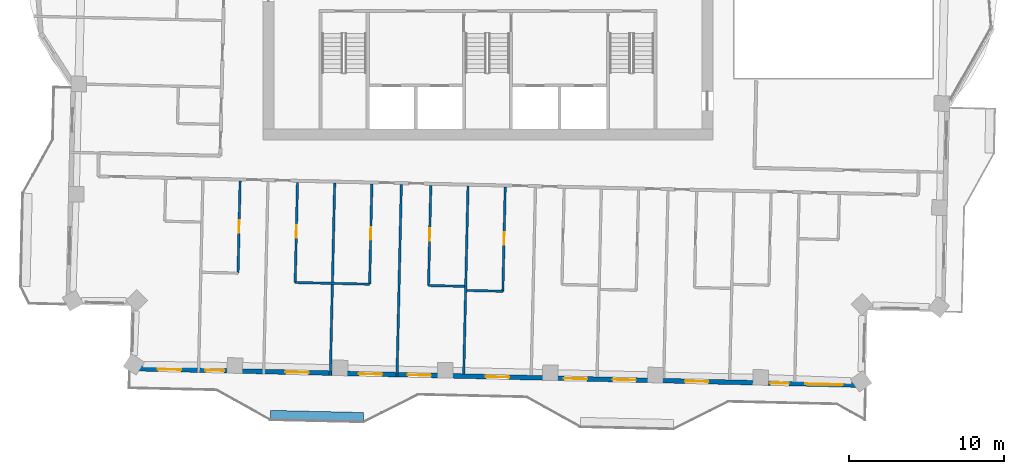
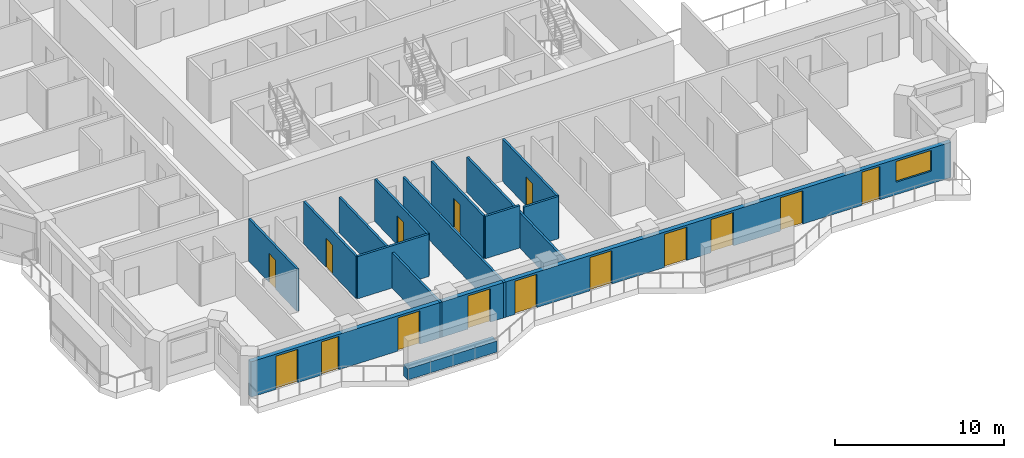
# One storey, part 6 of 17: 15 doors, 13 walls, 1 window, 16 openings.
"""IFC4 building model written with IfcOpenShell, lengths in metres."""

from ifc_helpers import new_model, si_unit, direction, frame, frame_2d, origin, place, context, subcontext, project, spatial, rectangle, extrude, material, layer, layer_set, type_object, element, fill, save


model = new_model("IFC4")

# Units and contexts
model_context = context("Model", 3, precision=1e-05, world=origin(), true_north=direction((0.0, 1.0)))
body_context = subcontext(model_context, "Body", "Model", "MODEL_VIEW")
ifc_project = project(units=[si_unit("LENGTHUNIT", "METRE"), si_unit("AREAUNIT", "SQUARE_METRE"), si_unit("VOLUMEUNIT", "CUBIC_METRE"), si_unit("PLANEANGLEUNIT", "RADIAN"), si_unit("MASSUNIT", "GRAM", prefix="KILO")], contexts=[model_context])

# Site, building, storey
site_placement = place(None, origin())
site = spatial("IfcSite", under=ifc_project, at=site_placement, CompositionType="ELEMENT")
building_placement = place(site_placement, origin())
building = spatial("IfcBuilding", under=site, at=building_placement, Name="Mangrove Gate Tower", CompositionType="ELEMENT")
storey_placement = place(building_placement, frame((0.0, 0.0, 260.89990234375)))
storey = spatial("IfcBuildingStorey", under=building, at=storey_placement, Name="L66", CompositionType="ELEMENT", Elevation=260.89990234375)

# Wall, openings, doors, window
ifc_material_1 = material(Name="Limestone", Category="masonry")
ifc_layer_1 = layer(ifc_material_1, 0.0400390625, Name="Limestone cladding")
ifc_material_2 = material(Name="Ventilated air gap")
ifc_layer_2 = layer(ifc_material_2, 0.0400390625, Name="Ventilated cavity")
ifc_material_3 = material(Name="Mineral wool insulation")
ifc_layer_3 = layer(ifc_material_3, 0.06005859375, Name="Insulation")
ifc_material_4 = material(Name="Breather membrane")
ifc_layer_4 = layer(ifc_material_4, 0.001953125, Name="Breather membrane")
ifc_material_5 = material(Name="Concrete C20/25 blockwork", Category="masonry")
ifc_layer_5 = layer(ifc_material_5, 0.14990234375, Name="Blockwork backing wall")
ifc_material_6 = material(Name="Gypsum plaster")
ifc_layer_6 = layer(ifc_material_6, 0.008056640625, Name="Internal plaster")
ifc_layer_set_1 = layer_set([ifc_layer_1, ifc_layer_2, ifc_layer_3, ifc_layer_4, ifc_layer_5, ifc_layer_6], Name="External wall 300 limestone cladding")
wall_type_1 = type_object("IfcWallType", Name="External wall 300 limestone cladding", PredefinedType="SOLIDWALL", material=ifc_layer_set_1)
wall_1_placement = place(storey_placement, frame((-22.949951171875, -26.2490234375, 0.0), z_axis=(0.0, 0.0, 1.0), x_axis=(0.999742196137, -0.022705533743, 0.0)))
wall_1 = element("IfcWall", 1, at=wall_1_placement, inside=storey, type_object=wall_type_1, Name="WALL-L66-S13", PredefinedType="SOLIDWALL", context=body_context, shape_type="SweptSolid", body=[
    extrude(rectangle(XDim=47.171142578125, YDim=0.300048828125, at=frame_2d((23.58544921875, 0.0))), origin(), (0.0, 0.0, 1.0), 2.550048828125),
])
opening_1_placement = place(wall_1_placement, frame((1.676025390625, 0.0, 0.0)))
opening_1 = element("IfcOpeningElement", 2, at=opening_1_placement, cuts=wall_1, Name="Opening BD1", PredefinedType="OPENING", context=body_context, shape_type="SweptSolid", body=[
    extrude(rectangle(XDim=1.5, YDim=2.39990234375, at=frame_2d((0.75, 1.199951171875))), frame((0.0, 0.159912109375, 0.0), z_axis=(0.0, -1.0, 0.0), x_axis=(1.0, 0.0, 0.0)), (0.0, 0.0, 1.0), 0.320068359375),
])
opening_2_placement = place(wall_1_placement, frame((4.740966796875, 0.0, 0.0)))
opening_2 = element("IfcOpeningElement", 3, at=opening_2_placement, cuts=wall_1, Name="Opening BD2", PredefinedType="OPENING", context=body_context, shape_type="SweptSolid", body=[
    extrude(rectangle(XDim=1.199951171875, YDim=2.39990234375, at=frame_2d((0.60009765625, 1.199951171875))), frame((0.0, 0.159912109375, 0.0), z_axis=(0.0, -1.0, 0.0), x_axis=(1.0, 0.0, 0.0)), (0.0, 0.0, 1.0), 0.320068359375),
])
opening_3_placement = place(wall_1_placement, frame((9.89990234375, 0.0, 0.0)))
opening_3 = element("IfcOpeningElement", 4, at=opening_3_placement, cuts=wall_1, Name="Opening BD1", PredefinedType="OPENING", context=body_context, shape_type="SweptSolid", body=[
    extrude(rectangle(XDim=1.5, YDim=2.39990234375, at=frame_2d((0.75, 1.199951171875))), frame((0.0, 0.159912109375, 0.0), z_axis=(0.0, -1.0, 0.0), x_axis=(1.0, 0.0, 0.0)), (0.0, 0.0, 1.0), 0.320068359375),
])
opening_4_placement = place(wall_1_placement, frame((14.632080078125, 0.0, 0.0)))
opening_4 = element("IfcOpeningElement", 5, at=opening_4_placement, cuts=wall_1, Name="Opening BD1", PredefinedType="OPENING", context=body_context, shape_type="SweptSolid", body=[
    extrude(rectangle(XDim=1.5, YDim=2.39990234375, at=frame_2d((0.75, 1.199951171875))), frame((0.0, 0.159912109375, 0.0), z_axis=(0.0, -1.0, 0.0), x_axis=(1.0, 0.0, 0.0)), (0.0, 0.0, 1.0), 0.320068359375),
])
opening_5_placement = place(wall_1_placement, frame((17.77294921875, 0.0, 0.0)))
opening_5 = element("IfcOpeningElement", 6, at=opening_5_placement, cuts=wall_1, Name="Opening BD1", PredefinedType="OPENING", context=body_context, shape_type="SweptSolid", body=[
    extrude(rectangle(XDim=1.5, YDim=2.39990234375, at=frame_2d((0.75, 1.199951171875))), frame((0.0, 0.159912109375, 0.0), z_axis=(0.0, -1.0, 0.0), x_axis=(1.0, 0.0, 0.0)), (0.0, 0.0, 1.0), 0.320068359375),
])
opening_6_placement = place(wall_1_placement, frame((22.824951171875, 0.0, 0.0)))
opening_6 = element("IfcOpeningElement", 7, at=opening_6_placement, cuts=wall_1, Name="Opening BD1", PredefinedType="OPENING", context=body_context, shape_type="SweptSolid", body=[
    extrude(rectangle(XDim=1.5, YDim=2.39990234375, at=frame_2d((0.75, 1.199951171875))), frame((0.0, 0.159912109375, 0.0), z_axis=(0.0, -1.0, 0.0), x_axis=(1.0, 0.0, 0.0)), (0.0, 0.0, 1.0), 0.320068359375),
])
opening_7_placement = place(wall_1_placement, frame((27.863037109375, 0.0, 0.0)))
opening_7 = element("IfcOpeningElement", 8, at=opening_7_placement, cuts=wall_1, Name="Opening BD1", PredefinedType="OPENING", context=body_context, shape_type="SweptSolid", body=[
    extrude(rectangle(XDim=1.5, YDim=2.39990234375, at=frame_2d((0.75, 1.199951171875))), frame((0.0, 0.159912109375, 0.0), z_axis=(0.0, -1.0, 0.0), x_axis=(1.0, 0.0, 0.0)), (0.0, 0.0, 1.0), 0.320068359375),
])
opening_8_placement = place(wall_1_placement, frame((31.00390625, 0.0, 0.0)))
opening_8 = element("IfcOpeningElement", 9, at=opening_8_placement, cuts=wall_1, Name="Opening BD1", PredefinedType="OPENING", context=body_context, shape_type="SweptSolid", body=[
    extrude(rectangle(XDim=1.5, YDim=2.39990234375, at=frame_2d((0.75, 1.199951171875))), frame((0.0, 0.159912109375, 0.0), z_axis=(0.0, -1.0, 0.0), x_axis=(1.0, 0.0, 0.0)), (0.0, 0.0, 1.0), 0.320068359375),
])
opening_9_placement = place(wall_1_placement, frame((35.675048828125, 0.0, 0.0)))
opening_9 = element("IfcOpeningElement", 10, at=opening_9_placement, cuts=wall_1, Name="Opening BD1", PredefinedType="OPENING", context=body_context, shape_type="SweptSolid", body=[
    extrude(rectangle(XDim=1.5, YDim=2.39990234375, at=frame_2d((0.75, 1.199951171875))), frame((0.0, 0.159912109375, 0.0), z_axis=(0.0, -1.0, 0.0), x_axis=(1.0, 0.0, 0.0)), (0.0, 0.0, 1.0), 0.320068359375),
])
opening_10_placement = place(wall_1_placement, frame((41.169921875, 0.0, 0.0)))
opening_10 = element("IfcOpeningElement", 11, at=opening_10_placement, cuts=wall_1, Name="Opening BD2", PredefinedType="OPENING", context=body_context, shape_type="SweptSolid", body=[
    extrude(rectangle(XDim=1.199951171875, YDim=2.39990234375, at=frame_2d((0.60009765625, 1.199951171875))), frame((0.0, 0.159912109375, 0.0), z_axis=(0.0, -1.0, 0.0), x_axis=(1.0, 0.0, 0.0)), (0.0, 0.0, 1.0), 0.320068359375),
])
opening_11_placement = place(wall_1_placement, frame((43.43798828125, 0.0, 0.89990234375)))
opening_11 = element("IfcOpeningElement", 12, at=opening_11_placement, cuts=wall_1, Name="Opening W2", PredefinedType="OPENING", context=body_context, shape_type="SweptSolid", body=[
    extrude(rectangle(XDim=2.39990234375, YDim=1.5, at=frame_2d((1.199951171875, 0.75))), frame((0.0, 0.159912109375, 0.0), z_axis=(0.0, -1.0, 0.0), x_axis=(1.0, 0.0, 0.0)), (0.0, 0.0, 1.0), 0.320068359375),
])
ifc_material_7 = material(Name="Aluminium frame with laminated clear glass", Category="aluminium")
door_type_1 = type_object("IfcDoorType", Name="Balcony sliding door 1200x2400", OperationType="SLIDING_TO_LEFT", PredefinedType="DOOR", material=ifc_material_7)
door_1_placement = place(opening_2_placement, origin())
door_1 = element("IfcDoor", 13, at=door_1_placement, inside=storey, type_object=door_type_1, Name="DOOR-L66-S13-2", OperationType="SLIDING_TO_LEFT", OverallHeight=2.39990234375, OverallWidth=1.199951171875, PredefinedType="DOOR", context=body_context, shape_type="SweptSolid", body=[
    extrude(rectangle(XDim=1.199951171875, YDim=2.39990234375, at=frame_2d((0.60009765625, 1.199951171875))), frame((0.0, 0.02490234375, 0.0), z_axis=(0.0, -1.0, 0.0), x_axis=(1.0, 0.0, 0.0)), (0.0, 0.0, 1.0), 0.050048828125),
])
fill(opening_2, door_1)
door_2_placement = place(opening_10_placement, origin())
door_2 = element("IfcDoor", 14, at=door_2_placement, inside=storey, type_object=door_type_1, Name="DOOR-L66-S13-10", OperationType="SLIDING_TO_LEFT", OverallHeight=2.39990234375, OverallWidth=1.199951171875, PredefinedType="DOOR", context=body_context, shape_type="SweptSolid", body=[
    extrude(rectangle(XDim=1.199951171875, YDim=2.39990234375, at=frame_2d((0.60009765625, 1.199951171875))), frame((0.0, 0.02490234375, 0.0), z_axis=(0.0, -1.0, 0.0), x_axis=(1.0, 0.0, 0.0)), (0.0, 0.0, 1.0), 0.050048828125),
])
fill(opening_10, door_2)
ifc_material_8 = material(Name="Aluminium frame with laminated clear glass", Category="aluminium")
door_type_2 = type_object("IfcDoorType", Name="Balcony sliding door 1500x2400", OperationType="SLIDING_TO_LEFT", PredefinedType="DOOR", material=ifc_material_8)
door_3_placement = place(opening_1_placement, origin())
door_3 = element("IfcDoor", 15, at=door_3_placement, inside=storey, type_object=door_type_2, Name="DOOR-L66-S13-1", OperationType="SLIDING_TO_LEFT", OverallHeight=2.39990234375, OverallWidth=1.5, PredefinedType="DOOR", context=body_context, shape_type="SweptSolid", body=[
    extrude(rectangle(XDim=1.5, YDim=2.39990234375, at=frame_2d((0.75, 1.199951171875))), frame((0.0, 0.02490234375, 0.0), z_axis=(0.0, -1.0, 0.0), x_axis=(1.0, 0.0, 0.0)), (0.0, 0.0, 1.0), 0.050048828125),
])
fill(opening_1, door_3)
door_4_placement = place(opening_3_placement, origin())
door_4 = element("IfcDoor", 16, at=door_4_placement, inside=storey, type_object=door_type_2, Name="DOOR-L66-S13-3", OperationType="SLIDING_TO_LEFT", OverallHeight=2.39990234375, OverallWidth=1.5, PredefinedType="DOOR", context=body_context, shape_type="SweptSolid", body=[
    extrude(rectangle(XDim=1.5, YDim=2.39990234375, at=frame_2d((0.75, 1.199951171875))), frame((0.0, 0.02490234375, 0.0), z_axis=(0.0, -1.0, 0.0), x_axis=(1.0, 0.0, 0.0)), (0.0, 0.0, 1.0), 0.050048828125),
])
fill(opening_3, door_4)
door_5_placement = place(opening_4_placement, origin())
door_5 = element("IfcDoor", 17, at=door_5_placement, inside=storey, type_object=door_type_2, Name="DOOR-L66-S13-4", OperationType="SLIDING_TO_LEFT", OverallHeight=2.39990234375, OverallWidth=1.5, PredefinedType="DOOR", context=body_context, shape_type="SweptSolid", body=[
    extrude(rectangle(XDim=1.5, YDim=2.39990234375, at=frame_2d((0.75, 1.199951171875))), frame((0.0, 0.02490234375, 0.0), z_axis=(0.0, -1.0, 0.0), x_axis=(1.0, 0.0, 0.0)), (0.0, 0.0, 1.0), 0.050048828125),
])
fill(opening_4, door_5)
door_6_placement = place(opening_5_placement, origin())
door_6 = element("IfcDoor", 18, at=door_6_placement, inside=storey, type_object=door_type_2, Name="DOOR-L66-S13-5", OperationType="SLIDING_TO_LEFT", OverallHeight=2.39990234375, OverallWidth=1.5, PredefinedType="DOOR", context=body_context, shape_type="SweptSolid", body=[
    extrude(rectangle(XDim=1.5, YDim=2.39990234375, at=frame_2d((0.75, 1.199951171875))), frame((0.0, 0.02490234375, 0.0), z_axis=(0.0, -1.0, 0.0), x_axis=(1.0, 0.0, 0.0)), (0.0, 0.0, 1.0), 0.050048828125),
])
fill(opening_5, door_6)
door_7_placement = place(opening_6_placement, origin())
door_7 = element("IfcDoor", 19, at=door_7_placement, inside=storey, type_object=door_type_2, Name="DOOR-L66-S13-6", OperationType="SLIDING_TO_LEFT", OverallHeight=2.39990234375, OverallWidth=1.5, PredefinedType="DOOR", context=body_context, shape_type="SweptSolid", body=[
    extrude(rectangle(XDim=1.5, YDim=2.39990234375, at=frame_2d((0.75, 1.199951171875))), frame((0.0, 0.02490234375, 0.0), z_axis=(0.0, -1.0, 0.0), x_axis=(1.0, 0.0, 0.0)), (0.0, 0.0, 1.0), 0.050048828125),
])
fill(opening_6, door_7)
door_8_placement = place(opening_7_placement, origin())
door_8 = element("IfcDoor", 20, at=door_8_placement, inside=storey, type_object=door_type_2, Name="DOOR-L66-S13-7", OperationType="SLIDING_TO_LEFT", OverallHeight=2.39990234375, OverallWidth=1.5, PredefinedType="DOOR", context=body_context, shape_type="SweptSolid", body=[
    extrude(rectangle(XDim=1.5, YDim=2.39990234375, at=frame_2d((0.75, 1.199951171875))), frame((0.0, 0.02490234375, 0.0), z_axis=(0.0, -1.0, 0.0), x_axis=(1.0, 0.0, 0.0)), (0.0, 0.0, 1.0), 0.050048828125),
])
fill(opening_7, door_8)
door_9_placement = place(opening_8_placement, origin())
door_9 = element("IfcDoor", 21, at=door_9_placement, inside=storey, type_object=door_type_2, Name="DOOR-L66-S13-8", OperationType="SLIDING_TO_LEFT", OverallHeight=2.39990234375, OverallWidth=1.5, PredefinedType="DOOR", context=body_context, shape_type="SweptSolid", body=[
    extrude(rectangle(XDim=1.5, YDim=2.39990234375, at=frame_2d((0.75, 1.199951171875))), frame((0.0, 0.02490234375, 0.0), z_axis=(0.0, -1.0, 0.0), x_axis=(1.0, 0.0, 0.0)), (0.0, 0.0, 1.0), 0.050048828125),
])
fill(opening_8, door_9)
door_10_placement = place(opening_9_placement, origin())
door_10 = element("IfcDoor", 22, at=door_10_placement, inside=storey, type_object=door_type_2, Name="DOOR-L66-S13-9", OperationType="SLIDING_TO_LEFT", OverallHeight=2.39990234375, OverallWidth=1.5, PredefinedType="DOOR", context=body_context, shape_type="SweptSolid", body=[
    extrude(rectangle(XDim=1.5, YDim=2.39990234375, at=frame_2d((0.75, 1.199951171875))), frame((0.0, 0.02490234375, 0.0), z_axis=(0.0, -1.0, 0.0), x_axis=(1.0, 0.0, 0.0)), (0.0, 0.0, 1.0), 0.050048828125),
])
fill(opening_9, door_10)
ifc_material_9 = material(Name="Aluminium frame with double-glazed low-e glass", Category="aluminium")
window_type = type_object("IfcWindowType", Name="Corner room window 2400x1500", PartitioningType="DOUBLE_PANEL_VERTICAL", PredefinedType="WINDOW", material=ifc_material_9)
window_placement = place(opening_11_placement, origin())
window = element("IfcWindow", 23, at=window_placement, inside=storey, type_object=window_type, Name="WIN-L66-S13-11", OverallHeight=1.5, OverallWidth=2.39990234375, PartitioningType="DOUBLE_PANEL_VERTICAL", PredefinedType="WINDOW", context=body_context, shape_type="SweptSolid", body=[
    extrude(rectangle(XDim=2.39990234375, YDim=1.5, at=frame_2d((1.199951171875, 0.75))), frame((0.0, 0.030029296875, 0.0), z_axis=(0.0, -1.0, 0.0), x_axis=(1.0, 0.0, 0.0)), (0.0, 0.0, 1.0), 0.06005859375),
])
fill(opening_11, window)

# Walls
ifc_material_10 = material(Name="Gypsum board on steel stud, EI 60", Category="steel")
ifc_layer_7 = layer(ifc_material_10, 0.14990234375)
ifc_layer_set_2 = layer_set([ifc_layer_7], Name="Party wall 150 EI 60")
wall_type_2 = type_object("IfcWallType", Name="Party wall 150 EI 60", PredefinedType="PARTITIONING", material=ifc_layer_set_2)
wall_2_placement = place(storey_placement, frame((-10.160888671875, -26.68994140625, 0.0), z_axis=(0.0, 0.0, 1.0), x_axis=(0.022661475803, 0.999743195783, 0.0)))
element("IfcWall", 24, at=wall_2_placement, inside=storey, type_object=wall_type_2, Name="WALL-L66-003", PredefinedType="PARTITIONING", context=body_context, shape_type="SweptSolid", body=[
    extrude(rectangle(XDim=12.400146484375, YDim=0.14990234375, at=frame_2d((6.2001953125, 0.0))), origin(), (0.0, 0.0, 1.0), 2.550048828125),
])
wall_3_placement = place(storey_placement, frame((-5.862060546875, -26.787109375, 0.0), z_axis=(0.0, 0.0, 1.0), x_axis=(0.022661029756, 0.999743205894, 0.0)))
element("IfcWall", 25, at=wall_3_placement, inside=storey, type_object=wall_type_2, Name="WALL-L66-004", PredefinedType="PARTITIONING", context=body_context, shape_type="SweptSolid", body=[
    extrude(rectangle(XDim=12.400390625, YDim=0.14990234375, at=frame_2d((6.2001953125, 0.0))), origin(), (0.0, 0.0, 1.0), 2.550048828125),
])
wall_4_placement = place(storey_placement, frame((-1.556884765625, -26.5849609375, 0.0), z_axis=(0.0, 0.0, 1.0), x_axis=(0.022719113715, 0.999741887625, 0.0)))
element("IfcWall", 26, at=wall_4_placement, inside=storey, type_object=wall_type_2, Name="WALL-L66-005", PredefinedType="PARTITIONING", context=body_context, shape_type="SweptSolid", body=[
    extrude(rectangle(XDim=12.10009765625, YDim=0.14990234375, at=frame_2d((6.050048828125, 0.0))), origin(), (0.0, 0.0, 1.0), 2.550048828125),
])
wall_5_placement = place(storey_placement, frame((-1.35498046875, -21.2080078125, 0.0), z_axis=(0.0, 0.0, 1.0), x_axis=(0.999740260747, -0.02279059109, 0.0)))
element("IfcWall", 27, at=wall_5_placement, inside=storey, type_object=wall_type_2, Name="WALL-L66-011", PredefinedType="PARTITIONING", context=body_context, shape_type="SweptSolid", body=[
    extrude(rectangle(XDim=2.324462890625, YDim=0.14990234375, at=frame_2d((1.162109375, 0.0))), origin(), (0.0, 0.0, 1.0), 3.050048828125),
])

# Wall, opening, door
wall_6_placement = place(storey_placement, frame((0.965087890625, -21.260986328125, 0.0), z_axis=(0.0, 0.0, 1.0), x_axis=(0.022595152847, 0.999744696944, 0.0)))
wall_6 = element("IfcWall", 28, at=wall_6_placement, inside=storey, type_object=wall_type_2, Name="WALL-L66-012", PredefinedType="PARTITIONING", context=body_context, shape_type="SweptSolid", body=[
    extrude(rectangle(XDim=6.720703125, YDim=0.14990234375, at=frame_2d((3.3603515625, 0.0))), origin(), (0.0, 0.0, 1.0), 3.050048828125),
])
opening_12_placement = place(wall_6_placement, frame((3.010009765625, 0.0, 0.0)))
opening_12 = element("IfcOpeningElement", 29, at=opening_12_placement, cuts=wall_6, Name="Opening ED", PredefinedType="OPENING", context=body_context, shape_type="SweptSolid", body=[
    extrude(rectangle(XDim=0.800048828125, YDim=2.10009765625, at=frame_2d((0.39990234375, 1.050048828125))), frame((0.0, 0.0849609375, 0.0), z_axis=(0.0, -1.0, 0.0), x_axis=(1.0, 0.0, 0.0)), (0.0, 0.0, 1.0), 0.169921875),
])
ifc_material_11 = material(Name="Timber door leaf", Category="wood")
door_type_3 = type_object("IfcDoorType", Name="En-suite door 800", OperationType="SINGLE_SWING_LEFT", PredefinedType="DOOR", material=ifc_material_11)
door_11_placement = place(opening_12_placement, origin())
door_11 = element("IfcDoor", 30, at=door_11_placement, inside=storey, type_object=door_type_3, Name="DOOR-L66-ENS-c205", OperationType="SINGLE_SWING_LEFT", OverallHeight=2.10009765625, OverallWidth=0.800048828125, PredefinedType="DOOR", context=body_context, shape_type="SweptSolid", body=[
    extrude(rectangle(XDim=0.800048828125, YDim=2.10009765625, at=frame_2d((0.39990234375, 1.050048828125))), frame((0.0, 0.02490234375, 0.0), z_axis=(0.0, -1.0, 0.0), x_axis=(1.0, 0.0, 0.0)), (0.0, 0.0, 1.0), 0.050048828125),
])
fill(opening_12, door_11)

wall_7_placement = place(storey_placement, frame((-12.426025390625, -20.697021484375, 0.0), z_axis=(0.0, 0.0, 1.0), x_axis=(0.02274887394, 0.999741210881, 0.0)))
wall_7 = element("IfcWall", 31, at=wall_7_placement, inside=storey, type_object=wall_type_2, Name="WALL-L66-013", PredefinedType="PARTITIONING", context=body_context, shape_type="SweptSolid", body=[
    extrude(rectangle(XDim=6.460693359375, YDim=0.14990234375, at=frame_2d((3.23046875, 0.0))), origin(), (0.0, 0.0, 1.0), 3.050048828125),
])
opening_13_placement = place(wall_7_placement, frame((2.8798828125, 0.0, 0.0)))
opening_13 = element("IfcOpeningElement", 32, at=opening_13_placement, cuts=wall_7, Name="Opening ED", PredefinedType="OPENING", context=body_context, shape_type="SweptSolid", body=[
    extrude(rectangle(XDim=0.800048828125, YDim=2.10009765625, at=frame_2d((0.39990234375, 1.050048828125))), frame((0.0, 0.0849609375, 0.0), z_axis=(0.0, -1.0, 0.0), x_axis=(1.0, 0.0, 0.0)), (0.0, 0.0, 1.0), 0.169921875),
])
door_12_placement = place(opening_13_placement, origin())
door_12 = element("IfcDoor", 33, at=door_12_placement, inside=storey, type_object=door_type_3, Name="DOOR-L66-ENS-c102", OperationType="SINGLE_SWING_RIGHT", OverallHeight=2.10009765625, OverallWidth=0.800048828125, PredefinedType="DOOR", context=body_context, shape_type="SweptSolid", body=[
    extrude(rectangle(XDim=0.800048828125, YDim=2.10009765625, at=frame_2d((0.39990234375, 1.050048828125))), frame((0.0, 0.02490234375, 0.0), z_axis=(0.0, -1.0, 0.0), x_axis=(1.0, 0.0, 0.0)), (0.0, 0.0, 1.0), 0.050048828125),
])
fill(opening_13, door_12)

# Wall
wall_8_placement = place(storey_placement, frame((-12.422119140625, -20.697021484375, 0.0), z_axis=(0.0, 0.0, 1.0), x_axis=(0.999742701292, -0.022683280499, 0.0)))
element("IfcWall", 34, at=wall_8_placement, inside=storey, type_object=wall_type_2, Name="WALL-L66-014", PredefinedType="PARTITIONING", context=body_context, shape_type="SweptSolid", body=[
    extrude(rectangle(XDim=4.80029296875, YDim=0.14990234375, at=frame_2d((2.400146484375, 0.0))), origin(), (0.0, 0.0, 1.0), 3.050048828125),
])

# Wall, opening, door
wall_9_placement = place(storey_placement, frame((-7.626953125, -20.805908203125, 0.0), z_axis=(0.0, 0.0, 1.0), x_axis=(0.02274887394, 0.999741210881, 0.0)))
wall_9 = element("IfcWall", 35, at=wall_9_placement, inside=storey, type_object=wall_type_2, Name="WALL-L66-015", PredefinedType="PARTITIONING", context=body_context, shape_type="SweptSolid", body=[
    extrude(rectangle(XDim=6.460693359375, YDim=0.14990234375, at=frame_2d((3.23046875, 0.0))), origin(), (0.0, 0.0, 1.0), 3.050048828125),
])
opening_14_placement = place(wall_9_placement, frame((2.8798828125, 0.0, 0.0)))
opening_14 = element("IfcOpeningElement", 36, at=opening_14_placement, cuts=wall_9, Name="Opening ED", PredefinedType="OPENING", context=body_context, shape_type="SweptSolid", body=[
    extrude(rectangle(XDim=0.800048828125, YDim=2.10009765625, at=frame_2d((0.39990234375, 1.050048828125))), frame((0.0, 0.0849609375, 0.0), z_axis=(0.0, -1.0, 0.0), x_axis=(1.0, 0.0, 0.0)), (0.0, 0.0, 1.0), 0.169921875),
])
door_13_placement = place(opening_14_placement, origin())
door_13 = element("IfcDoor", 37, at=door_13_placement, inside=storey, type_object=door_type_3, Name="DOOR-L66-ENS-c103", OperationType="SINGLE_SWING_LEFT", OverallHeight=2.10009765625, OverallWidth=0.800048828125, PredefinedType="DOOR", context=body_context, shape_type="SweptSolid", body=[
    extrude(rectangle(XDim=0.800048828125, YDim=2.10009765625, at=frame_2d((0.39990234375, 1.050048828125))), frame((0.0, 0.02490234375, 0.0), z_axis=(0.0, -1.0, 0.0), x_axis=(1.0, 0.0, 0.0)), (0.0, 0.0, 1.0), 0.050048828125),
])
fill(opening_14, door_13)

wall_10_placement = place(storey_placement, frame((-3.827880859375, -20.89208984375, 0.0), z_axis=(0.0, 0.0, 1.0), x_axis=(0.02274887394, 0.999741210881, 0.0)))
wall_10 = element("IfcWall", 38, at=wall_10_placement, inside=storey, type_object=wall_type_2, Name="WALL-L66-016", PredefinedType="PARTITIONING", context=body_context, shape_type="SweptSolid", body=[
    extrude(rectangle(XDim=6.460693359375, YDim=0.14990234375, at=frame_2d((3.23046875, 0.0))), origin(), (0.0, 0.0, 1.0), 3.050048828125),
])
opening_15_placement = place(wall_10_placement, frame((2.8798828125, 0.0, 0.0)))
opening_15 = element("IfcOpeningElement", 39, at=opening_15_placement, cuts=wall_10, Name="Opening ED", PredefinedType="OPENING", context=body_context, shape_type="SweptSolid", body=[
    extrude(rectangle(XDim=0.800048828125, YDim=2.10009765625, at=frame_2d((0.39990234375, 1.050048828125))), frame((0.0, 0.0849609375, 0.0), z_axis=(0.0, -1.0, 0.0), x_axis=(1.0, 0.0, 0.0)), (0.0, 0.0, 1.0), 0.169921875),
])
door_14_placement = place(opening_15_placement, origin())
door_14 = element("IfcDoor", 40, at=door_14_placement, inside=storey, type_object=door_type_3, Name="DOOR-L66-ENS-c104", OperationType="SINGLE_SWING_RIGHT", OverallHeight=2.10009765625, OverallWidth=0.800048828125, PredefinedType="DOOR", context=body_context, shape_type="SweptSolid", body=[
    extrude(rectangle(XDim=0.800048828125, YDim=2.10009765625, at=frame_2d((0.39990234375, 1.050048828125))), frame((0.0, 0.02490234375, 0.0), z_axis=(0.0, -1.0, 0.0), x_axis=(1.0, 0.0, 0.0)), (0.0, 0.0, 1.0), 0.050048828125),
])
fill(opening_15, door_14)

# Wall
wall_11_placement = place(storey_placement, frame((-3.823974609375, -20.89208984375, 0.0), z_axis=(0.0, 0.0, 1.0), x_axis=(0.999740260747, -0.02279059109, 0.0)))
element("IfcWall", 41, at=wall_11_placement, inside=storey, type_object=wall_type_2, Name="WALL-L66-017", PredefinedType="PARTITIONING", context=body_context, shape_type="SweptSolid", body=[
    extrude(rectangle(XDim=2.324462890625, YDim=0.14990234375, at=frame_2d((1.162109375, 0.0))), origin(), (0.0, 0.0, 1.0), 3.050048828125),
])

# Wall, opening, door
wall_12_placement = place(storey_placement, frame((-16.113037109375, -20.093017578125, 0.0), z_axis=(0.0, 0.0, 1.0), x_axis=(0.022727006686, 0.999741708226, 0.0)))
wall_12 = element("IfcWall", 42, at=wall_12_placement, inside=storey, type_object=wall_type_2, Name="WALL-L66-025", PredefinedType="PARTITIONING", context=body_context, shape_type="SweptSolid", body=[
    extrude(rectangle(XDim=5.9404296875, YDim=0.14990234375, at=frame_2d((2.97021484375, 0.0))), origin(), (0.0, 0.0, 1.0), 3.050048828125),
])
opening_16_placement = place(wall_12_placement, frame((2.6201171875, 0.0, 0.0)))
opening_16 = element("IfcOpeningElement", 43, at=opening_16_placement, cuts=wall_12, Name="Opening ED", PredefinedType="OPENING", context=body_context, shape_type="SweptSolid", body=[
    extrude(rectangle(XDim=0.800048828125, YDim=2.10009765625, at=frame_2d((0.39990234375, 1.050048828125))), frame((0.0, 0.0849609375, 0.0), z_axis=(0.0, -1.0, 0.0), x_axis=(1.0, 0.0, 0.0)), (0.0, 0.0, 1.0), 0.169921875),
])
door_15_placement = place(opening_16_placement, origin())
door_15 = element("IfcDoor", 44, at=door_15_placement, inside=storey, type_object=door_type_3, Name="DOOR-L66-ENS-c101", OperationType="SINGLE_SWING_LEFT", OverallHeight=2.10009765625, OverallWidth=0.800048828125, PredefinedType="DOOR", context=body_context, shape_type="SweptSolid", body=[
    extrude(rectangle(XDim=0.800048828125, YDim=2.10009765625, at=frame_2d((0.39990234375, 1.050048828125))), frame((0.0, 0.02490234375, 0.0), z_axis=(0.0, -1.0, 0.0), x_axis=(1.0, 0.0, 0.0)), (0.0, 0.0, 1.0), 0.050048828125),
])
fill(opening_16, door_15)

# Wall
ifc_material_12 = material(Name="Concrete C32/40", Category="concrete")
ifc_layer_8 = layer(ifc_material_12, 0.199951171875, Name="Planter trough wall")
ifc_material_13 = material(Name="Bituminous waterproofing membrane")
ifc_layer_9 = layer(ifc_material_13, 0.0048828125, Name="Waterproofing")
ifc_material_14 = material(Name="Drainage board and gravel")
ifc_layer_10 = layer(ifc_material_14, 0.044921875, Name="Drainage layer")
ifc_material_15 = material(Name="Planting soil")
ifc_layer_11 = layer(ifc_material_15, 0.300048828125, Name="Growing medium")
ifc_layer_set_3 = layer_set([ifc_layer_8, ifc_layer_9, ifc_layer_10, ifc_layer_11], Name="Planter wall 550 C32/40")
wall_type_3 = type_object("IfcWallType", Name="Planter wall 550 C32/40", PredefinedType="USERDEFINED", material=ifc_layer_set_3)
wall_13_placement = place(storey_placement, frame((-14.030029296875, -29.217041015625, 0.0), z_axis=(0.0, 0.0, 1.0), x_axis=(0.999739477659, -0.022824916448, 0.0)))
element("IfcWall", 45, at=wall_13_placement, inside=storey, type_object=wall_type_3, Name="PLANTER L66 S0.1", ObjectType="PLANTER", PredefinedType="USERDEFINED", context=body_context, shape_type="SweptSolid", body=[
    extrude(rectangle(XDim=6.00048828125, YDim=0.550048828125, at=frame_2d((3.000244140625, 0.0))), origin(), (0.0, 0.0, 1.0), 0.800048828125),
])

save(model, "model.ifc")
